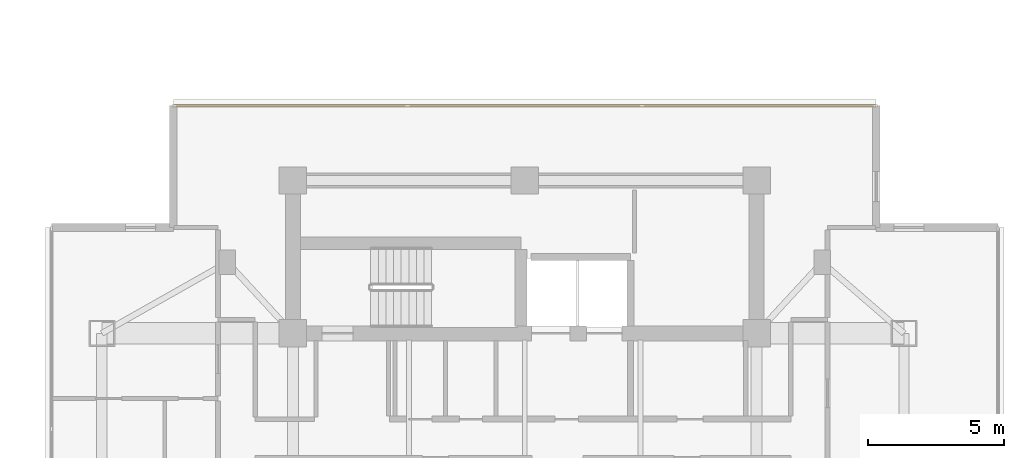
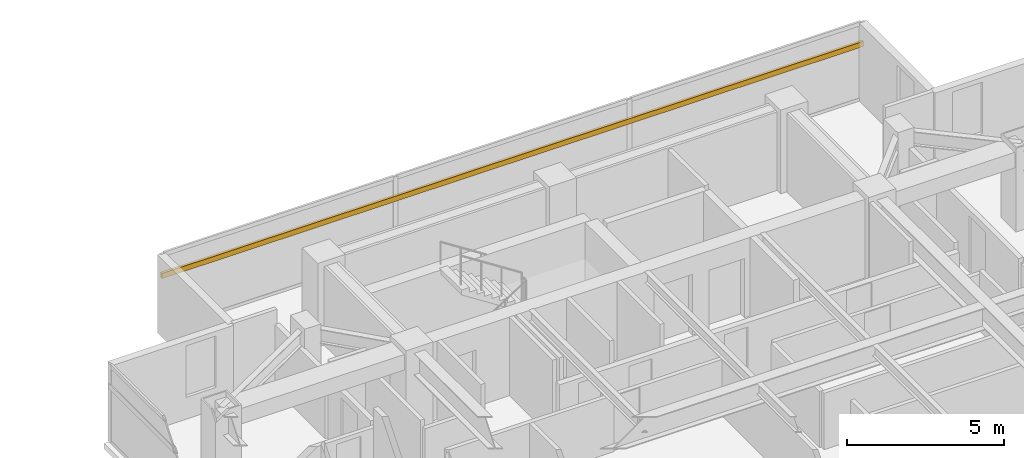
# One storey, part 24 of 24: 1 shading device.
"""IFC4 building model written with IfcOpenShell, lengths in metres."""

from ifc_helpers import new_model, si_unit, direction, frame, origin, origin_2d, place, context, subcontext, project, spatial, rectangle, extrude, material, material_profile, profile_set, type_object, element, save


model = new_model("IFC4")

# Units and contexts
model_context = context("Model", 3, precision=1e-05, world=origin(), true_north=direction((0.0, 1.0)))
body_context = subcontext(model_context, "Body", "Model", "MODEL_VIEW")
ifc_project = project(units=[si_unit("LENGTHUNIT", "METRE"), si_unit("AREAUNIT", "SQUARE_METRE"), si_unit("VOLUMEUNIT", "CUBIC_METRE"), si_unit("PLANEANGLEUNIT", "RADIAN"), si_unit("MASSUNIT", "GRAM", prefix="KILO")], contexts=[model_context])

# Site, building, storey
site_placement = place(None, origin())
site = spatial("IfcSite", under=ifc_project, at=site_placement, CompositionType="ELEMENT")
building_placement = place(site_placement, origin())
building = spatial("IfcBuilding", under=site, at=building_placement, Name="Mirazonda Arch Towers", CompositionType="ELEMENT")
storey_placement = place(building_placement, frame((0.0, 0.0, 164.14990234375)))
storey = spatial("IfcBuildingStorey", under=building, at=storey_placement, Name="L46", CompositionType="ELEMENT", Elevation=164.14990234375)

# Shading device
ifc_material = material(Name="Kiln-Fired Architectural Terracotta", Category="masonry")
ifc_material_profile = material_profile(ifc_material, rectangle(XDim=0.10009765625, YDim=0.199951171875, at=origin_2d()), Name="TERRA-BAG-100x200")
ifc_profile_set = profile_set([ifc_material_profile], Name="Kiln-Fired Architectural Terracotta")
shading_device_type = type_object("IfcShadingDeviceType", Name="BAGUETTE-2", PredefinedType="USERDEFINED", material=ifc_profile_set)
shading_device_placement = place(storey_placement, frame((63.61865234375, 43.54150390625, 2.181640625), z_axis=(1.0, 0.0, 0.0), x_axis=(0.0, 1.0, 0.0)))
element("IfcShadingDevice", 1, at=shading_device_placement, inside=storey, type_object=shading_device_type, Name="L46 Glazed Terracotta Sun-Screen Baguette CW-L46-T2-N", ObjectType="BAGUETTE", PredefinedType="USERDEFINED", context=body_context, shape_type="SweptSolid", body=[
    extrude(rectangle(XDim=0.10009765625, YDim=0.199951171875, at=origin_2d()), origin(), (0.0, 0.0, 1.0), 25.7626953125),
])

save(model, "model.ifc")
